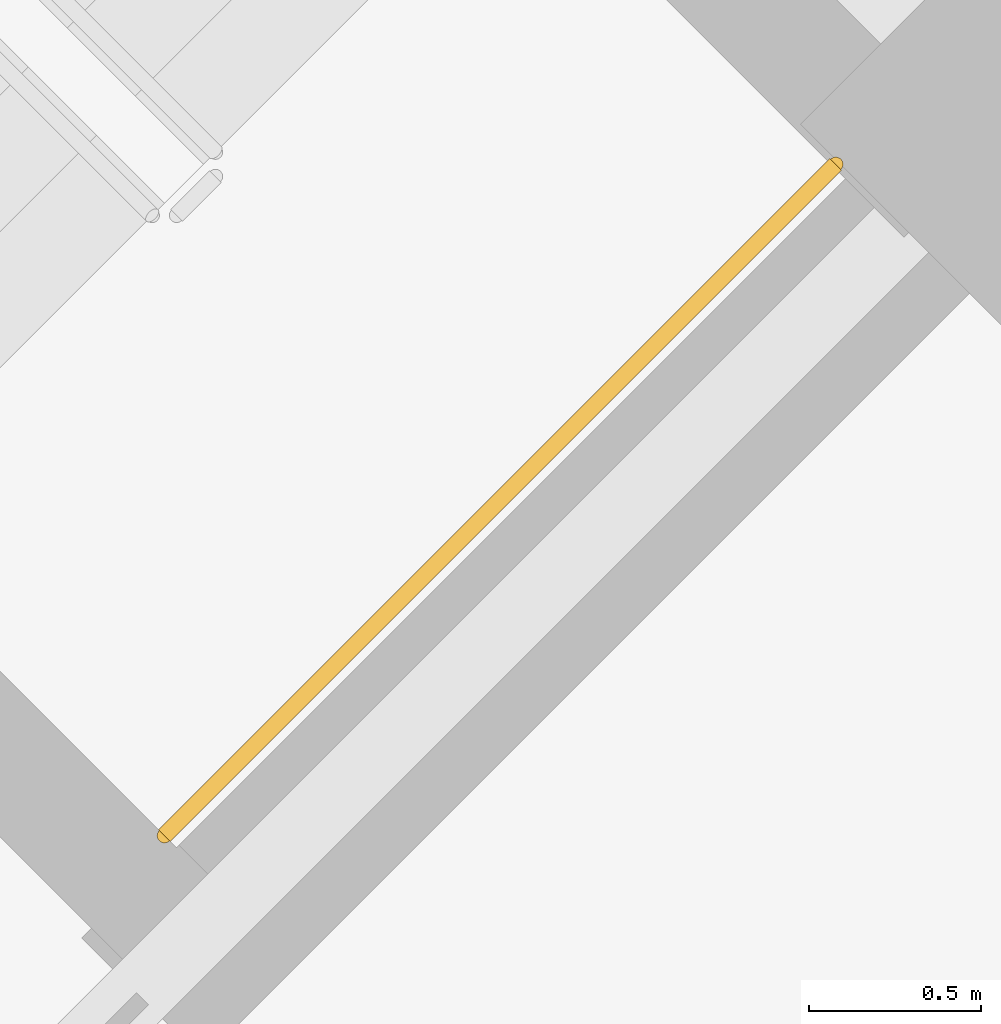
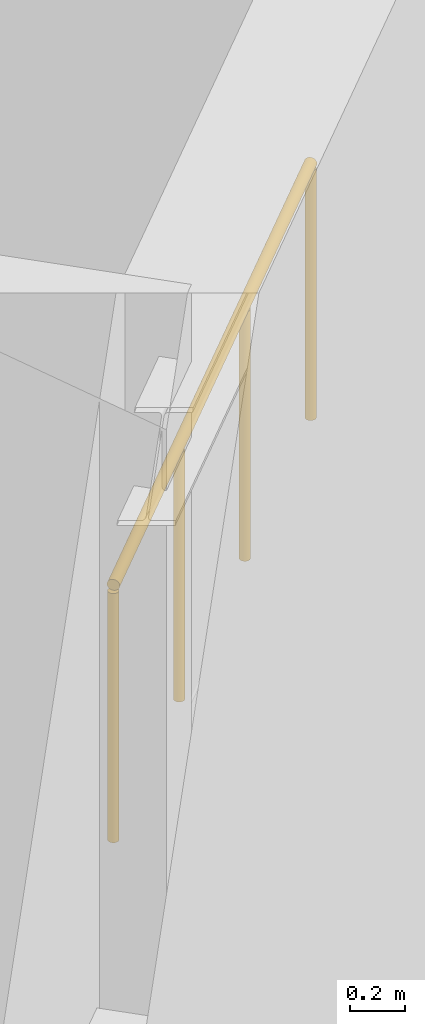
# One storey, part 14 of 15: 1 railing.
"""IFC4 building model written with IfcOpenShell, lengths in metres."""

from ifc_helpers import new_model, si_unit, direction, frame, origin, origin_2d, place, context, subcontext, project, spatial, circle, extrude, material, type_object, element, save


model = new_model("IFC4")

# Units and contexts
model_context = context("Model", 3, precision=1e-05, world=origin(), true_north=direction((0.0, 1.0)))
body_context = subcontext(model_context, "Body", "Model", "MODEL_VIEW")
ifc_project = project(units=[si_unit("LENGTHUNIT", "METRE"), si_unit("AREAUNIT", "SQUARE_METRE"), si_unit("VOLUMEUNIT", "CUBIC_METRE"), si_unit("PLANEANGLEUNIT", "RADIAN"), si_unit("MASSUNIT", "GRAM", prefix="KILO")], contexts=[model_context])

# Site, building, storey
site_placement = place(None, origin())
site = spatial("IfcSite", under=ifc_project, at=site_placement, CompositionType="ELEMENT")
building_placement = place(site_placement, origin())
building = spatial("IfcBuilding", under=site, at=building_placement, Name="Cununo Teusaquillo Station Towers", CompositionType="ELEMENT")
storey_placement = place(building_placement, frame((0.0, 0.0, -10.0)))
storey = spatial("IfcBuildingStorey", under=building, at=storey_placement, Name="B02", CompositionType="ELEMENT", Elevation=-10.0)

# Railing
ifc_material = material(Name="Steel EN 10025-2 S355J2", Category="steel")
railing_type = type_object("IfcRailingType", Name="RL-INT-GUARD", PredefinedType="GUARDRAIL", material=ifc_material)
railing_placement = place(storey_placement, frame((63.573974609375, 21.22607421875, 2.5)))
element("IfcRailing", 1, at=railing_placement, inside=storey, type_object=railing_type, Name="B02 ST-T2-2 stair guard 3", PredefinedType="GUARDRAIL", context=body_context, shape_type="SweptSolid", body=[
    extrude(circle(Radius=0.02392578125, at=origin_2d()), frame((0.0, 0.0, 1.1259765625), z_axis=(0.707106781187, 0.707106781187, 0.0), x_axis=(-0.707106781187, 0.707106781187, 0.0)), (0.0, 0.0, 1.0), 2.760009765625),
    extrude(circle(Radius=0.02099609375, at=origin_2d()), origin(), (0.0, 0.0, 1.0), 1.101806640625),
    extrude(circle(Radius=0.02099609375, at=origin_2d()), frame((0.650634765625, 0.650634765625, 0.0)), (0.0, 0.0, 1.0), 1.101806640625),
    extrude(circle(Radius=0.02099609375, at=origin_2d()), frame((1.301025390625, 1.301025390625, 0.0)), (0.0, 0.0, 1.0), 1.101806640625),
    extrude(circle(Radius=0.02099609375, at=origin_2d()), frame((1.95166015625, 1.95166015625, 0.0)), (0.0, 0.0, 1.0), 1.101806640625),
])

save(model, "model.ifc")
